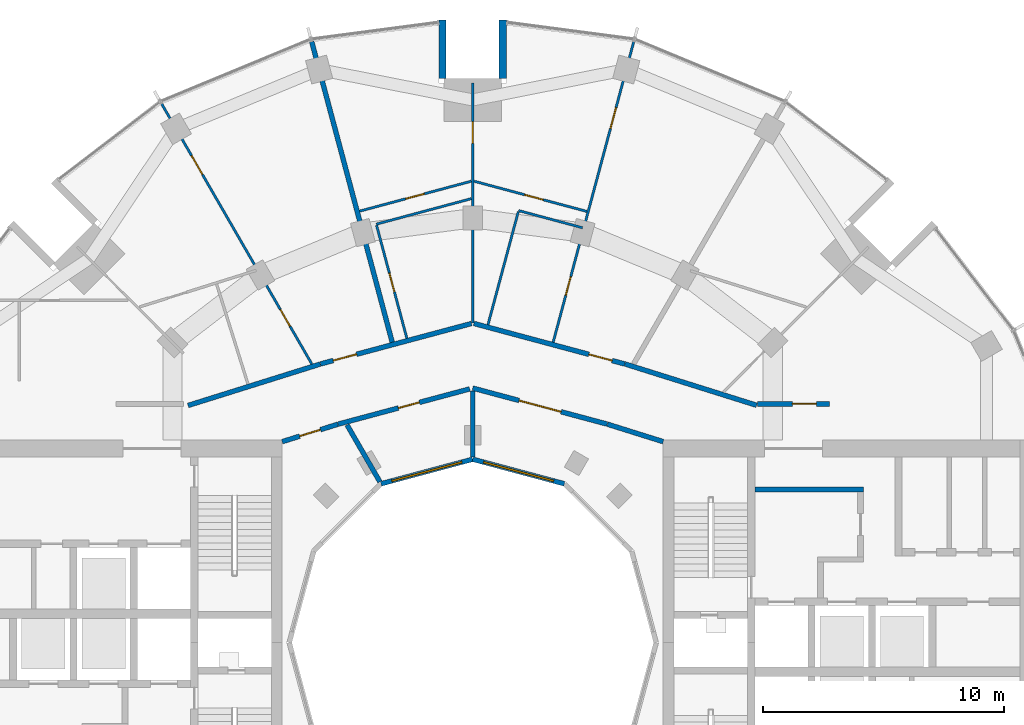
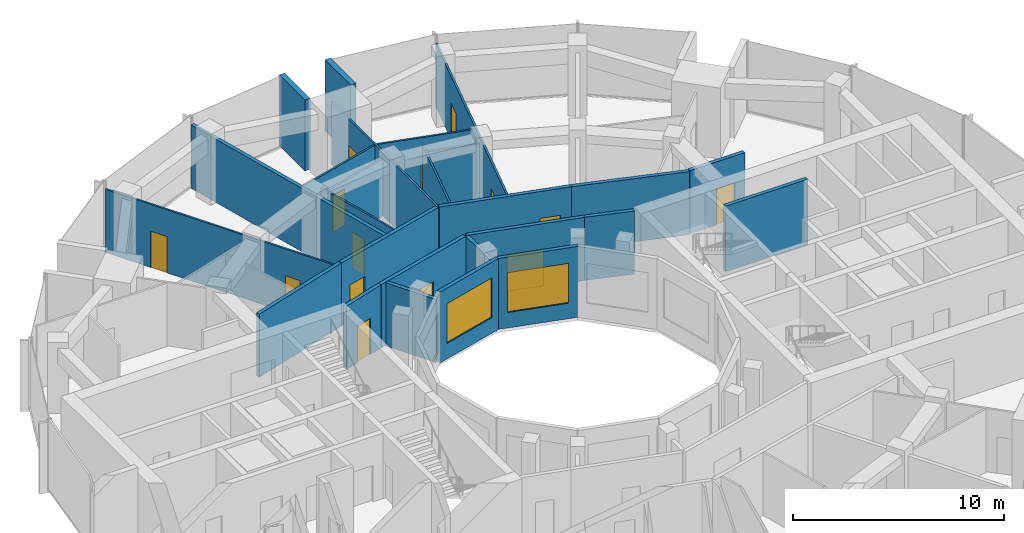
# One storey, part 12 of 15: 26 walls, 14 doors, 2 windows, 16 openings.
"""IFC4 building model written with IfcOpenShell, lengths in metres."""

from ifc_helpers import new_model, si_unit, direction, frame, frame_2d, origin, place, context, subcontext, project, spatial, rectangle, extrude, material, layer, layer_set, type_object, element, fill, save


model = new_model("IFC4")

# Units and contexts
model_context = context("Model", 3, precision=1e-05, world=origin(), true_north=direction((0.0, 1.0)))
body_context = subcontext(model_context, "Body", "Model", "MODEL_VIEW")
ifc_project = project(units=[si_unit("LENGTHUNIT", "METRE"), si_unit("AREAUNIT", "SQUARE_METRE"), si_unit("VOLUMEUNIT", "CUBIC_METRE"), si_unit("PLANEANGLEUNIT", "RADIAN"), si_unit("MASSUNIT", "GRAM", prefix="KILO")], contexts=[model_context])

# Site, building, storey
site_placement = place(None, origin())
site = spatial("IfcSite", under=ifc_project, at=site_placement, CompositionType="ELEMENT")
building_placement = place(site_placement, origin())
building = spatial("IfcBuilding", under=site, at=building_placement, Name="Torre Brocal", CompositionType="ELEMENT")
storey_placement = place(building_placement, frame((0.0, 0.0, 198.699951171875)))
storey = spatial("IfcBuildingStorey", under=building, at=storey_placement, Name="L46", CompositionType="ELEMENT", Elevation=198.699951171875)

# Walls
ifc_material_1 = material(Name="Concrete C70", Category="concrete")
ifc_layer_1 = layer(ifc_material_1, 0.199951171875)
ifc_layer_set_1 = layer_set([ifc_layer_1], Name="Concrete C70")
wall_type_1 = type_object("IfcWallType", Name="CORE WALL 200 C70", PredefinedType="SHEAR", material=ifc_layer_set_1)
wall_1_placement = place(storey_placement, frame((91.699951171875, 81.35009765625, 0.0), z_axis=(0.0, 0.0, 1.0), x_axis=(1.0, 0.0, 0.0)))
element("IfcWall", 1, at=wall_1_placement, inside=storey, type_object=wall_type_1, Name="Wall CW200-70", PredefinedType="SHEAR", context=body_context, shape_type="SweptSolid", body=[
    extrude(rectangle(XDim=4.5, YDim=0.199951171875, at=frame_2d((2.25, 0.0))), origin(), (0.0, 0.0, 1.0), 3.780029296875),
])
ifc_material_2 = material(Name="Concrete C70", Category="concrete")
ifc_layer_2 = layer(ifc_material_2, 0.300048828125)
ifc_layer_set_2 = layer_set([ifc_layer_2], Name="Concrete C70")
wall_type_2 = type_object("IfcWallType", Name="NOTCH RETURN WALL 300 C70", PredefinedType="NOTDEFINED", material=ifc_layer_set_2)
for number, where, z_axis, x_axis, name in (
    (2, (81.25, 98.39990234375, 0.0), (0.0, 0.0, 1.0), (0.0, 1.0, 0.0), "NOTCH RETURN WALL"),
    (3, (78.75, 98.39990234375, 0.0), (0.0, 0.0, 1.0), (0.0, 1.0, 0.0), "NOTCH RETURN WALL"),
):
    element("IfcWall", number, at=place(storey_placement, frame(where, z_axis=z_axis, x_axis=x_axis)), inside=storey, type_object=wall_type_2, Name=name, PredefinedType="NOTDEFINED", context=body_context, shape_type="SweptSolid", body=[
        extrude(rectangle(XDim=2.415771484375, YDim=0.300048828125, at=frame_2d((1.2080078125, 0.0))), origin(), (0.0, 0.0, 1.0), 4.10009765625),
    ])

# Wall, openings, doors
ifc_material_3 = material(Name="Gypsum board", Category="Gypsum")
ifc_layer_3 = layer(ifc_material_3, 0.10009765625)
ifc_layer_set_3 = layer_set([ifc_layer_3], Name="Gypsum board")
wall_type_3 = type_object("IfcWallType", Name="PARTITION 100", PredefinedType="PARTITIONING", material=ifc_layer_set_3)
wall_2_placement = place(storey_placement, frame((67.101318359375, 97.341552734375, 0.0), z_axis=(0.0, 0.0, 1.0), x_axis=(0.499944152966, -0.866057644684, 0.0)))
wall_2 = element("IfcWall", 4, at=wall_2_placement, inside=storey, type_object=wall_type_3, Name="BATHROOM WALL", PredefinedType="PARTITIONING", context=body_context, shape_type="SweptSolid", body=[
    extrude(rectangle(XDim=12.4560546875, YDim=0.10009765625, at=frame_2d((6.22802734375, 0.0))), origin(), (0.0, 0.0, 1.0), 3.650146484375),
])
opening_1_placement = place(wall_2_placement, frame((2.486083984375, 0.0, 0.0)))
opening_1 = element("IfcOpeningElement", 5, at=opening_1_placement, cuts=wall_2, Name="Opening R04-D12", PredefinedType="OPENING", context=body_context, shape_type="SweptSolid", body=[
    extrude(rectangle(XDim=0.89990234375, YDim=2.10009765625, at=frame_2d((0.449951171875, 1.050048828125))), frame((0.0, 0.06005859375, 0.0), z_axis=(0.0, -1.0, 0.0), x_axis=(1.0, 0.0, 0.0)), (0.0, 0.0, 1.0), 0.1201171875),
])
opening_2_placement = place(wall_2_placement, frame((9.85009765625, 0.0, 0.0)))
opening_2 = element("IfcOpeningElement", 6, at=opening_2_placement, cuts=wall_2, Name="Opening R04-D14", PredefinedType="OPENING", context=body_context, shape_type="SweptSolid", body=[
    extrude(rectangle(XDim=0.800048828125, YDim=2.10009765625, at=frame_2d((0.39990234375, 1.050048828125))), frame((0.0, 0.06005859375, 0.0), z_axis=(0.0, -1.0, 0.0), x_axis=(1.0, 0.0, 0.0)), (0.0, 0.0, 1.0), 0.1201171875),
])
ifc_material_4 = material(Name="Timber", Category="wood")
door_type_1 = type_object("IfcDoorType", Name="BATHROOM DOOR 800X2100", OperationType="SINGLE_SWING_LEFT", PredefinedType="DOOR", material=ifc_material_4)
door_1_placement = place(opening_2_placement, frame((0.800048828125, 0.0, 0.0), z_axis=(0.0, 0.0, 1.0), x_axis=(-1.0, 0.0, 0.0)))
door_1 = element("IfcDoor", 7, at=door_1_placement, inside=storey, type_object=door_type_1, Name="R04-D14", OperationType="SINGLE_SWING_LEFT", OverallHeight=2.10009765625, OverallWidth=0.800048828125, PredefinedType="DOOR", context=body_context, shape_type="SweptSolid", body=[
    extrude(rectangle(XDim=0.800048828125, YDim=2.10009765625, at=frame_2d((0.39990234375, 1.050048828125))), frame((0.0, 0.02490234375, 0.0), z_axis=(0.0, -1.0, 0.0), x_axis=(1.0, 0.0, 0.0)), (0.0, 0.0, 1.0), 0.050048828125),
])
fill(opening_2, door_1)
ifc_material_5 = material(Name="Timber", Category="wood")
door_type_2 = type_object("IfcDoorType", Name="ROOM DOOR 900X2100", OperationType="SINGLE_SWING_LEFT", PredefinedType="DOOR", material=ifc_material_5)
door_2_placement = place(opening_1_placement, origin())
door_2 = element("IfcDoor", 8, at=door_2_placement, inside=storey, type_object=door_type_2, Name="R04-D12", OperationType="SINGLE_SWING_LEFT", OverallHeight=2.10009765625, OverallWidth=0.89990234375, PredefinedType="DOOR", context=body_context, shape_type="SweptSolid", body=[
    extrude(rectangle(XDim=0.89990234375, YDim=2.10009765625, at=frame_2d((0.449951171875, 1.050048828125))), frame((0.0, 0.02490234375, 0.0), z_axis=(0.0, -1.0, 0.0), x_axis=(1.0, 0.0, 0.0)), (0.0, 0.0, 1.0), 0.050048828125),
])
fill(opening_1, door_2)

# Wall, opening, door
wall_3_placement = place(storey_placement, frame((75.310546875, 92.889892578125, 0.0), z_axis=(0.0, 0.0, 1.0), x_axis=(0.965887579691, 0.258961741187, 0.0)))
wall_3 = element("IfcWall", 9, at=wall_3_placement, inside=storey, type_object=wall_type_3, Name="BATHROOM WALL", PredefinedType="PARTITIONING", context=body_context, shape_type="SweptSolid", body=[
    extrude(rectangle(XDim=4.794921875, YDim=0.10009765625, at=frame_2d((2.3974609375, 0.0))), origin(), (0.0, 0.0, 1.0), 3.650146484375),
])
opening_3_placement = place(wall_3_placement, frame((1.9775390625, 0.0, 0.0)))
opening_3 = element("IfcOpeningElement", 10, at=opening_3_placement, cuts=wall_3, Name="Opening R04-D10", PredefinedType="OPENING", context=body_context, shape_type="SweptSolid", body=[
    extrude(rectangle(XDim=0.800048828125, YDim=2.10009765625, at=frame_2d((0.39990234375, 1.050048828125))), frame((0.0, 0.06005859375, 0.0), z_axis=(0.0, -1.0, 0.0), x_axis=(1.0, 0.0, 0.0)), (0.0, 0.0, 1.0), 0.1201171875),
])
door_3_placement = place(opening_3_placement, origin())
door_3 = element("IfcDoor", 11, at=door_3_placement, inside=storey, type_object=door_type_1, Name="R04-D10", OperationType="SINGLE_SWING_LEFT", OverallHeight=2.10009765625, OverallWidth=0.800048828125, PredefinedType="DOOR", context=body_context, shape_type="SweptSolid", body=[
    extrude(rectangle(XDim=0.800048828125, YDim=2.10009765625, at=frame_2d((0.39990234375, 1.050048828125))), frame((0.0, 0.02490234375, 0.0), z_axis=(0.0, -1.0, 0.0), x_axis=(1.0, 0.0, 0.0)), (0.0, 0.0, 1.0), 0.050048828125),
])
fill(opening_3, door_3)

wall_4_placement = place(storey_placement, frame((76.012939453125, 92.3017578125, 0.0), z_axis=(0.0, 0.0, 1.0), x_axis=(0.259213325924, -0.965820092804, 0.0)))
wall_4 = element("IfcWall", 12, at=wall_4_placement, inside=storey, type_object=wall_type_3, Name="BATHROOM WALL", PredefinedType="PARTITIONING", context=body_context, shape_type="SweptSolid", body=[
    extrude(rectangle(XDim=4.849609375, YDim=0.10009765625, at=frame_2d((2.4248046875, 0.0))), origin(), (0.0, 0.0, 1.0), 3.650146484375),
])
opening_4_placement = place(wall_4_placement, frame((2.0498046875, 0.0, 0.0)))
opening_4 = element("IfcOpeningElement", 13, at=opening_4_placement, cuts=wall_4, Name="Opening R04-D09", PredefinedType="OPENING", context=body_context, shape_type="SweptSolid", body=[
    extrude(rectangle(XDim=0.800048828125, YDim=2.10009765625, at=frame_2d((0.39990234375, 1.050048828125))), frame((0.0, 0.06005859375, 0.0), z_axis=(0.0, -1.0, 0.0), x_axis=(1.0, 0.0, 0.0)), (0.0, 0.0, 1.0), 0.1201171875),
])
door_4_placement = place(opening_4_placement, origin())
door_4 = element("IfcDoor", 14, at=door_4_placement, inside=storey, type_object=door_type_1, Name="R04-D09", OperationType="SINGLE_SWING_LEFT", OverallHeight=2.10009765625, OverallWidth=0.800048828125, PredefinedType="DOOR", context=body_context, shape_type="SweptSolid", body=[
    extrude(rectangle(XDim=0.800048828125, YDim=2.10009765625, at=frame_2d((0.39990234375, 1.050048828125))), frame((0.0, 0.02490234375, 0.0), z_axis=(0.0, -1.0, 0.0), x_axis=(1.0, 0.0, 0.0)), (0.0, 0.0, 1.0), 0.050048828125),
])
fill(opening_4, door_4)

wall_5_placement = place(storey_placement, frame((80.0, 88.24609375, 0.0), z_axis=(0.0, 0.0, 1.0), x_axis=(0.0, 1.0, 0.0)))
wall_5 = element("IfcWall", 15, at=wall_5_placement, inside=storey, type_object=wall_type_3, Name="BATHROOM WALL", PredefinedType="PARTITIONING", context=body_context, shape_type="SweptSolid", body=[
    extrude(rectangle(XDim=9.953857421875, YDim=0.10009765625, at=frame_2d((4.97705078125, 0.0))), origin(), (0.0, 0.0, 1.0), 3.650146484375),
])
opening_5_placement = place(wall_5_placement, frame((7.452392578125, 0.0, 0.0)))
opening_5 = element("IfcOpeningElement", 16, at=opening_5_placement, cuts=wall_5, Name="Opening R04-D08", PredefinedType="OPENING", context=body_context, shape_type="SweptSolid", body=[
    extrude(rectangle(XDim=0.89990234375, YDim=2.10009765625, at=frame_2d((0.449951171875, 1.050048828125))), frame((0.0, 0.06005859375, 0.0), z_axis=(0.0, -1.0, 0.0), x_axis=(1.0, 0.0, 0.0)), (0.0, 0.0, 1.0), 0.1201171875),
])
door_5_placement = place(opening_5_placement, origin())
door_5 = element("IfcDoor", 17, at=door_5_placement, inside=storey, type_object=door_type_2, Name="R04-D08", OperationType="SINGLE_SWING_RIGHT", OverallHeight=2.10009765625, OverallWidth=0.89990234375, PredefinedType="DOOR", context=body_context, shape_type="SweptSolid", body=[
    extrude(rectangle(XDim=0.89990234375, YDim=2.10009765625, at=frame_2d((0.449951171875, 1.050048828125))), frame((0.0, 0.02490234375, 0.0), z_axis=(0.0, -1.0, 0.0), x_axis=(1.0, 0.0, 0.0)), (0.0, 0.0, 1.0), 0.050048828125),
])
fill(opening_5, door_5)

wall_6_placement = place(storey_placement, frame((80.05810546875, 94.131591796875, 0.0), z_axis=(0.0, 0.0, 1.0), x_axis=(0.96588865472, -0.258957731459, 0.0)))
wall_6 = element("IfcWall", 18, at=wall_6_placement, inside=storey, type_object=wall_type_3, Name="BATHROOM WALL", PredefinedType="PARTITIONING", context=body_context, shape_type="SweptSolid", body=[
    extrude(rectangle(XDim=4.844970703125, YDim=0.10009765625, at=frame_2d((2.42236328125, 0.0))), origin(), (0.0, 0.0, 1.0), 3.650146484375),
])
opening_6_placement = place(wall_6_placement, frame((2.16748046875, 0.0, 0.0)))
opening_6 = element("IfcOpeningElement", 19, at=opening_6_placement, cuts=wall_6, Name="Opening R04-D06", PredefinedType="OPENING", context=body_context, shape_type="SweptSolid", body=[
    extrude(rectangle(XDim=0.800048828125, YDim=2.10009765625, at=frame_2d((0.39990234375, 1.050048828125))), frame((0.0, 0.06005859375, 0.0), z_axis=(0.0, -1.0, 0.0), x_axis=(1.0, 0.0, 0.0)), (0.0, 0.0, 1.0), 0.1201171875),
])
door_6_placement = place(opening_6_placement, frame((0.800048828125, 0.0, 0.0), z_axis=(0.0, 0.0, 1.0), x_axis=(-1.0, 0.0, 0.0)))
door_6 = element("IfcDoor", 20, at=door_6_placement, inside=storey, type_object=door_type_1, Name="R04-D06", OperationType="SINGLE_SWING_LEFT", OverallHeight=2.10009765625, OverallWidth=0.800048828125, PredefinedType="DOOR", context=body_context, shape_type="SweptSolid", body=[
    extrude(rectangle(XDim=0.800048828125, YDim=2.10009765625, at=frame_2d((0.39990234375, 1.050048828125))), frame((0.0, 0.02490234375, 0.0), z_axis=(0.0, -1.0, 0.0), x_axis=(1.0, 0.0, 0.0)), (0.0, 0.0, 1.0), 0.050048828125),
])
fill(opening_6, door_6)

# Wall
wall_7_placement = place(storey_placement, frame((80.633056640625, 88.179931640625, 0.0), z_axis=(0.0, 0.0, 1.0), x_axis=(0.258975098822, 0.965883998309, 0.0)))
element("IfcWall", 21, at=wall_7_placement, inside=storey, type_object=wall_type_3, Name="BATHROOM WALL", PredefinedType="PARTITIONING", context=body_context, shape_type="SweptSolid", body=[
    extrude(rectangle(XDim=4.850341796875, YDim=0.10009765625, at=frame_2d((2.42529296875, 0.0))), origin(), (0.0, 0.0, 1.0), 3.650146484375),
])

# Wall, openings, doors
wall_8_placement = place(storey_placement, frame((83.336669921875, 87.455078125, 0.0), z_axis=(0.0, 0.0, 1.0), x_axis=(0.258878883978, 0.965909790524, 0.0)))
wall_8 = element("IfcWall", 22, at=wall_8_placement, inside=storey, type_object=wall_type_3, Name="BATHROOM WALL", PredefinedType="PARTITIONING", context=body_context, shape_type="SweptSolid", body=[
    extrude(rectangle(XDim=12.904052734375, YDim=0.10009765625, at=frame_2d((6.4521484375, 0.0))), origin(), (0.0, 0.0, 1.0), 3.650146484375),
])
opening_7_placement = place(wall_8_placement, frame((9.176513671875, 0.0, 0.0)))
opening_7 = element("IfcOpeningElement", 23, at=opening_7_placement, cuts=wall_8, Name="Opening R04-D05", PredefinedType="OPENING", context=body_context, shape_type="SweptSolid", body=[
    extrude(rectangle(XDim=0.89990234375, YDim=2.10009765625, at=frame_2d((0.449951171875, 1.050048828125))), frame((0.0, 0.06005859375, 0.0), z_axis=(0.0, -1.0, 0.0), x_axis=(1.0, 0.0, 0.0)), (0.0, 0.0, 1.0), 0.1201171875),
])
opening_8_placement = place(wall_8_placement, frame((2.009521484375, 0.0, 0.0)))
opening_8 = element("IfcOpeningElement", 24, at=opening_8_placement, cuts=wall_8, Name="Opening R04-D07", PredefinedType="OPENING", context=body_context, shape_type="SweptSolid", body=[
    extrude(rectangle(XDim=0.800048828125, YDim=2.10009765625, at=frame_2d((0.39990234375, 1.050048828125))), frame((0.0, 0.06005859375, 0.0), z_axis=(0.0, -1.0, 0.0), x_axis=(1.0, 0.0, 0.0)), (0.0, 0.0, 1.0), 0.1201171875),
])
door_7_placement = place(opening_8_placement, origin())
door_7 = element("IfcDoor", 25, at=door_7_placement, inside=storey, type_object=door_type_1, Name="R04-D07", OperationType="SINGLE_SWING_RIGHT", OverallHeight=2.10009765625, OverallWidth=0.800048828125, PredefinedType="DOOR", context=body_context, shape_type="SweptSolid", body=[
    extrude(rectangle(XDim=0.800048828125, YDim=2.10009765625, at=frame_2d((0.39990234375, 1.050048828125))), frame((0.0, 0.02490234375, 0.0), z_axis=(0.0, -1.0, 0.0), x_axis=(1.0, 0.0, 0.0)), (0.0, 0.0, 1.0), 0.050048828125),
])
fill(opening_8, door_7)
door_8_placement = place(opening_7_placement, frame((0.89990234375, 0.0, 0.0), z_axis=(0.0, 0.0, 1.0), x_axis=(-1.0, 0.0, 0.0)))
door_8 = element("IfcDoor", 26, at=door_8_placement, inside=storey, type_object=door_type_2, Name="R04-D05", OperationType="SINGLE_SWING_LEFT", OverallHeight=2.10009765625, OverallWidth=0.89990234375, PredefinedType="DOOR", context=body_context, shape_type="SweptSolid", body=[
    extrude(rectangle(XDim=0.89990234375, YDim=2.10009765625, at=frame_2d((0.449951171875, 1.050048828125))), frame((0.0, 0.02490234375, 0.0), z_axis=(0.0, -1.0, 0.0), x_axis=(1.0, 0.0, 0.0)), (0.0, 0.0, 1.0), 0.050048828125),
])
fill(opening_7, door_8)

# Walls
ifc_material_6 = material(Name="Gypsum board", Category="Gypsum")
ifc_layer_4 = layer(ifc_material_6, 0.10009765625)
ifc_layer_set_4 = layer_set([ifc_layer_4], Name="Gypsum board")
wall_type_4 = type_object("IfcWallType", Name="PARTITION 100 UNDER BEAM 820", PredefinedType="PARTITIONING", material=ifc_layer_set_4)
wall_9_placement = place(storey_placement, frame((76.0, 92.35009765625, 0.0), z_axis=(0.0, 0.0, 1.0), x_axis=(0.965855616718, 0.259080928775, 0.0)))
element("IfcWall", 27, at=wall_9_placement, inside=storey, type_object=wall_type_4, Name="BATHROOM WALL", PredefinedType="PARTITIONING", context=body_context, shape_type="SweptSolid", body=[
    extrude(rectangle(XDim=4.081298828125, YDim=0.10009765625, at=frame_2d((2.04052734375, 0.0))), origin(), (0.0, 0.0, 1.0), 3.280029296875),
])
wall_10_placement = place(storey_placement, frame((81.902099609375, 92.9130859375, 0.0), z_axis=(0.0, 0.0, 1.0), x_axis=(0.965846090635, -0.259116439472, 0.0)))
element("IfcWall", 28, at=wall_10_placement, inside=storey, type_object=wall_type_4, Name="BATHROOM WALL", PredefinedType="PARTITIONING", context=body_context, shape_type="SweptSolid", body=[
    extrude(rectangle(XDim=2.748291015625, YDim=0.10009765625, at=frame_2d((1.3740234375, 0.0))), origin(), (0.0, 0.0, 1.0), 3.280029296875),
])
ifc_material_7 = material(Name="Gypsum board", Category="Gypsum")
ifc_layer_5 = layer(ifc_material_7, 0.199951171875)
ifc_layer_set_5 = layer_set([ifc_layer_5], Name="Gypsum board")
wall_type_5 = type_object("IfcWallType", Name="PARTITION 200 EI60", PredefinedType="PARTITIONING", material=ifc_layer_set_5)
wall_11_placement = place(storey_placement, frame((68.19970703125, 84.833984375, 0.0), z_axis=(0.0, 0.0, 1.0), x_axis=(0.954272398161, 0.298938438661, 0.0)))
element("IfcWall", 29, at=wall_11_placement, inside=storey, type_object=wall_type_5, Name="FLAT ENTRANCE WALL", PredefinedType="PARTITIONING", context=body_context, shape_type="SweptSolid", body=[
    extrude(rectangle(XDim=5.740478515625, YDim=0.199951171875, at=frame_2d((2.8701171875, 0.0))), origin(), (0.0, 0.0, 1.0), 3.650146484375),
])

# Wall, opening, door
wall_12_placement = place(storey_placement, frame((72.10009765625, 83.33203125, 0.0), z_axis=(0.0, 0.0, 1.0), x_axis=(0.954233106619, 0.299063836383, 0.0)))
wall_12 = element("IfcWall", 30, at=wall_12_placement, inside=storey, type_object=wall_type_5, Name="CORRIDOR WALL", PredefinedType="PARTITIONING", context=body_context, shape_type="SweptSolid", body=[
    extrude(rectangle(XDim=2.4140625, YDim=0.199951171875, at=frame_2d((1.20703125, 0.0))), origin(), (0.0, 0.0, 1.0), 3.650146484375),
])
opening_9_placement = place(wall_12_placement, frame((0.761962890625, 0.0, 0.0)))
opening_9 = element("IfcOpeningElement", 31, at=opening_9_placement, cuts=wall_12, Name="Opening R04-D20", PredefinedType="OPENING", context=body_context, shape_type="SweptSolid", body=[
    extrude(rectangle(XDim=0.89990234375, YDim=2.10009765625, at=frame_2d((0.449951171875, 1.050048828125))), frame((0.0, 0.10986328125, 0.0), z_axis=(0.0, -1.0, 0.0), x_axis=(1.0, 0.0, 0.0)), (0.0, 0.0, 1.0), 0.219970703125),
])
door_9_placement = place(opening_9_placement, frame((0.89990234375, 0.0, 0.0), z_axis=(0.0, 0.0, 1.0), x_axis=(-1.0, 0.0, 0.0)))
door_9 = element("IfcDoor", 32, at=door_9_placement, inside=storey, type_object=door_type_2, Name="R04-D20", OperationType="SINGLE_SWING_RIGHT", OverallHeight=2.10009765625, OverallWidth=0.89990234375, PredefinedType="DOOR", context=body_context, shape_type="SweptSolid", body=[
    extrude(rectangle(XDim=0.89990234375, YDim=2.10009765625, at=frame_2d((0.449951171875, 1.050048828125))), frame((0.0, 0.02490234375, 0.0), z_axis=(0.0, -1.0, 0.0), x_axis=(1.0, 0.0, 0.0)), (0.0, 0.0, 1.0), 0.050048828125),
])
fill(opening_9, door_9)

# Wall
wall_13_placement = place(storey_placement, frame((73.323486328125, 99.91943359375, 0.0), z_axis=(0.0, 0.0, 1.0), x_axis=(0.258768239436, -0.965939438194, 0.0)))
element("IfcWall", 33, at=wall_13_placement, inside=storey, type_object=wall_type_5, Name="BATHROOM WALL", PredefinedType="PARTITIONING", context=body_context, shape_type="SweptSolid", body=[
    extrude(rectangle(XDim=12.90380859375, YDim=0.199951171875, at=frame_2d((6.451904296875, 0.0))), origin(), (0.0, 0.0, 1.0), 3.650146484375),
])

# Wall, opening, door
wall_14_placement = place(storey_placement, frame((73.68701171875, 86.55419921875, 0.0), z_axis=(0.0, 0.0, 1.0), x_axis=(0.96595258731, 0.258719150952, 0.0)))
wall_14 = element("IfcWall", 34, at=wall_14_placement, inside=storey, type_object=wall_type_5, Name="FLAT ENTRANCE WALL", PredefinedType="PARTITIONING", context=body_context, shape_type="SweptSolid", body=[
    extrude(rectangle(XDim=6.485595703125, YDim=0.199951171875, at=frame_2d((3.24267578125, 0.0))), origin(), (0.0, 0.0, 1.0), 3.650146484375),
])
opening_10_placement = place(wall_14_placement, frame((0.550048828125, 0.0, 0.0)))
opening_10 = element("IfcOpeningElement", 35, at=opening_10_placement, cuts=wall_14, Name="Opening R04-D11", PredefinedType="OPENING", context=body_context, shape_type="SweptSolid", body=[
    extrude(rectangle(XDim=1.0, YDim=2.10009765625, at=frame_2d((0.5, 1.050048828125))), frame((0.0, 0.10986328125, 0.0), z_axis=(0.0, -1.0, 0.0), x_axis=(1.0, 0.0, 0.0)), (0.0, 0.0, 1.0), 0.219970703125),
])
ifc_material_8 = material(Name="Timber", Category="wood")
door_type_3 = type_object("IfcDoorType", Name="FLAT ENTRY DOOR FD30S 1000X2100", OperationType="SINGLE_SWING_RIGHT", PredefinedType="DOOR", material=ifc_material_8)
door_10_placement = place(opening_10_placement, origin())
door_10 = element("IfcDoor", 36, at=door_10_placement, inside=storey, type_object=door_type_3, Name="R04-D11", OperationType="SINGLE_SWING_LEFT", OverallHeight=2.10009765625, OverallWidth=1.0, PredefinedType="DOOR", context=body_context, shape_type="SweptSolid", body=[
    extrude(rectangle(XDim=1.0, YDim=2.10009765625, at=frame_2d((0.5, 1.050048828125))), frame((0.0, 0.02490234375, 0.0), z_axis=(0.0, -1.0, 0.0), x_axis=(1.0, 0.0, 0.0)), (0.0, 0.0, 1.0), 0.050048828125),
])
fill(opening_10, door_10)

wall_15_placement = place(storey_placement, frame((74.4130859375, 84.056884765625, 0.0), z_axis=(0.0, 0.0, 1.0), x_axis=(0.965972135939, 0.258646153246, 0.0)))
wall_15 = element("IfcWall", 37, at=wall_15_placement, inside=storey, type_object=wall_type_5, Name="CORRIDOR WALL", PredefinedType="PARTITIONING", context=body_context, shape_type="SweptSolid", body=[
    extrude(rectangle(XDim=5.654052734375, YDim=0.199951171875, at=frame_2d((2.8271484375, 0.0))), origin(), (0.0, 0.0, 1.0), 3.650146484375),
])
opening_11_placement = place(wall_15_placement, frame((2.5927734375, 0.0, 0.0)))
opening_11 = element("IfcOpeningElement", 38, at=opening_11_placement, cuts=wall_15, Name="Opening R04-D19", PredefinedType="OPENING", context=body_context, shape_type="SweptSolid", body=[
    extrude(rectangle(XDim=0.89990234375, YDim=2.10009765625, at=frame_2d((0.449951171875, 1.050048828125))), frame((0.0, 0.10986328125, 0.0), z_axis=(0.0, -1.0, 0.0), x_axis=(1.0, 0.0, 0.0)), (0.0, 0.0, 1.0), 0.219970703125),
])
door_11_placement = place(opening_11_placement, frame((0.89990234375, 0.0, 0.0), z_axis=(0.0, 0.0, 1.0), x_axis=(-1.0, 0.0, 0.0)))
door_11 = element("IfcDoor", 39, at=door_11_placement, inside=storey, type_object=door_type_2, Name="R04-D19", OperationType="SINGLE_SWING_RIGHT", OverallHeight=2.10009765625, OverallWidth=0.89990234375, PredefinedType="DOOR", context=body_context, shape_type="SweptSolid", body=[
    extrude(rectangle(XDim=0.89990234375, YDim=2.10009765625, at=frame_2d((0.449951171875, 1.050048828125))), frame((0.0, 0.02490234375, 0.0), z_axis=(0.0, -1.0, 0.0), x_axis=(1.0, 0.0, 0.0)), (0.0, 0.0, 1.0), 0.050048828125),
])
fill(opening_11, door_11)

# Walls
wall_16_placement = place(storey_placement, frame((74.789306640625, 84.0283203125, 0.0), z_axis=(0.0, 0.0, 1.0), x_axis=(0.49993436518, -0.866063294749, 0.0)))
element("IfcWall", 40, at=wall_16_placement, inside=storey, type_object=wall_type_5, Name="PARTY PARTITION", PredefinedType="PARTITIONING", context=body_context, shape_type="SweptSolid", body=[
    extrude(rectangle(XDim=2.725830078125, YDim=0.199951171875, at=frame_2d((1.36279296875, 0.0))), origin(), (0.0, 0.0, 1.0), 3.650146484375),
])
wall_17_placement = place(storey_placement, frame((80.0, 82.699951171875, 0.0), z_axis=(0.0, 0.0, 1.0), x_axis=(0.0, 1.0, 0.0)))
element("IfcWall", 41, at=wall_17_placement, inside=storey, type_object=wall_type_5, Name="PARTY PARTITION", PredefinedType="PARTITIONING", context=body_context, shape_type="SweptSolid", body=[
    extrude(rectangle(XDim=2.72314453125, YDim=0.199951171875, at=frame_2d((1.361572265625, 0.0))), origin(), (0.0, 0.0, 1.0), 3.650146484375),
])

# Wall, opening, door
wall_18_placement = place(storey_placement, frame((80.04833984375, 88.2333984375, 0.0), z_axis=(0.0, 0.0, 1.0), x_axis=(0.965787353661, -0.259335280109, 0.0)))
wall_18 = element("IfcWall", 42, at=wall_18_placement, inside=storey, type_object=wall_type_5, Name="FLAT ENTRANCE WALL", PredefinedType="PARTITIONING", context=body_context, shape_type="SweptSolid", body=[
    extrude(rectangle(XDim=6.47607421875, YDim=0.199951171875, at=frame_2d((3.238037109375, 0.0))), origin(), (0.0, 0.0, 1.0), 3.650146484375),
])
opening_12_placement = place(wall_18_placement, frame((4.935791015625, 0.0, 0.0)))
opening_12 = element("IfcOpeningElement", 43, at=opening_12_placement, cuts=wall_18, Name="Opening R04-D04", PredefinedType="OPENING", context=body_context, shape_type="SweptSolid", body=[
    extrude(rectangle(XDim=1.0, YDim=2.10009765625, at=frame_2d((0.5, 1.050048828125))), frame((0.0, 0.10986328125, 0.0), z_axis=(0.0, -1.0, 0.0), x_axis=(1.0, 0.0, 0.0)), (0.0, 0.0, 1.0), 0.219970703125),
])
door_12_placement = place(opening_12_placement, origin())
door_12 = element("IfcDoor", 44, at=door_12_placement, inside=storey, type_object=door_type_3, Name="R04-D04", OperationType="SINGLE_SWING_RIGHT", OverallHeight=2.10009765625, OverallWidth=1.0, PredefinedType="DOOR", context=body_context, shape_type="SweptSolid", body=[
    extrude(rectangle(XDim=1.0, YDim=2.10009765625, at=frame_2d((0.5, 1.050048828125))), frame((0.0, 0.02490234375, 0.0), z_axis=(0.0, -1.0, 0.0), x_axis=(1.0, 0.0, 0.0)), (0.0, 0.0, 1.0), 0.050048828125),
])
fill(opening_12, door_12)

wall_19_placement = place(storey_placement, frame((80.0009765625, 85.553955078125, 0.0), z_axis=(0.0, 0.0, 1.0), x_axis=(0.965917658836, -0.258849524528, 0.0)))
wall_19 = element("IfcWall", 45, at=wall_19_placement, inside=storey, type_object=wall_type_5, Name="CORRIDOR WALL", PredefinedType="PARTITIONING", context=body_context, shape_type="SweptSolid", body=[
    extrude(rectangle(XDim=5.773193359375, YDim=0.199951171875, at=frame_2d((2.88671875, 0.0))), origin(), (0.0, 0.0, 1.0), 3.650146484375),
])
opening_13_placement = place(wall_19_placement, frame((1.9912109375, 0.0, 0.0)))
opening_13 = element("IfcOpeningElement", 46, at=opening_13_placement, cuts=wall_19, Name="Opening R04-D18", PredefinedType="OPENING", context=body_context, shape_type="SweptSolid", body=[
    extrude(rectangle(XDim=1.800048828125, YDim=2.10009765625, at=frame_2d((0.89990234375, 1.050048828125))), frame((0.0, 0.10986328125, 0.0), z_axis=(0.0, -1.0, 0.0), x_axis=(1.0, 0.0, 0.0)), (0.0, 0.0, 1.0), 0.219970703125),
])
ifc_material_9 = material(Name="Timber", Category="wood")
door_type_4 = type_object("IfcDoorType", Name="DOUBLE DOOR 1800X2100", OperationType="DOUBLE_DOOR_SINGLE_SWING", PredefinedType="DOOR", material=ifc_material_9)
door_13_placement = place(opening_13_placement, frame((1.800048828125, 0.0, 0.0), z_axis=(0.0, 0.0, 1.0), x_axis=(-1.0, 0.0, 0.0)))
door_13 = element("IfcDoor", 47, at=door_13_placement, inside=storey, type_object=door_type_4, Name="R04-D18", OperationType="DOUBLE_DOOR_SINGLE_SWING", OverallHeight=2.10009765625, OverallWidth=1.800048828125, PredefinedType="DOOR", context=body_context, shape_type="SweptSolid", body=[
    extrude(rectangle(XDim=1.800048828125, YDim=2.10009765625, at=frame_2d((0.89990234375, 1.050048828125))), frame((0.0, 0.02490234375, 0.0), z_axis=(0.0, -1.0, 0.0), x_axis=(1.0, 0.0, 0.0)), (0.0, 0.0, 1.0), 0.050048828125),
])
fill(opening_13, door_13)

# Walls
wall_20_placement = place(storey_placement, frame((85.5869140625, 84.056884765625, 0.0), z_axis=(0.0, 0.0, 1.0), x_axis=(0.954210767728, -0.299135104513, 0.0)))
element("IfcWall", 48, at=wall_20_placement, inside=storey, type_object=wall_type_5, Name="CORRIDOR WALL", PredefinedType="PARTITIONING", context=body_context, shape_type="SweptSolid", body=[
    extrude(rectangle(XDim=2.424072265625, YDim=0.199951171875, at=frame_2d((1.2119140625, 0.0))), origin(), (0.0, 0.0, 1.0), 3.650146484375),
])
wall_21_placement = place(storey_placement, frame((86.31298828125, 86.554443359375, 0.0), z_axis=(0.0, 0.0, 1.0), x_axis=(0.954081217458, -0.299548043717, 0.0)))
element("IfcWall", 49, at=wall_21_placement, inside=storey, type_object=wall_type_5, Name="FLAT ENTRANCE WALL", PredefinedType="PARTITIONING", context=body_context, shape_type="SweptSolid", body=[
    extrude(rectangle(XDim=5.720703125, YDim=0.199951171875, at=frame_2d((2.8603515625, 0.0))), origin(), (0.0, 0.0, 1.0), 3.650146484375),
])

# Wall, opening, door
wall_22_placement = place(storey_placement, frame((91.800048828125, 84.89990234375, 0.0), z_axis=(0.0, 0.0, 1.0), x_axis=(1.0, 0.0, 0.0)))
wall_22 = element("IfcWall", 50, at=wall_22_placement, inside=storey, type_object=wall_type_5, Name="FLAT ENTRANCE WALL", PredefinedType="PARTITIONING", context=body_context, shape_type="SweptSolid", body=[
    extrude(rectangle(XDim=3.0, YDim=0.199951171875, at=frame_2d((1.5, 0.0))), origin(), (0.0, 0.0, 1.0), 3.650146484375),
])
opening_14_placement = place(wall_22_placement, frame((1.449951171875, 0.0, 0.0)))
opening_14 = element("IfcOpeningElement", 51, at=opening_14_placement, cuts=wall_22, Name="Opening R04-D01", PredefinedType="OPENING", context=body_context, shape_type="SweptSolid", body=[
    extrude(rectangle(XDim=1.0, YDim=2.10009765625, at=frame_2d((0.5, 1.050048828125))), frame((0.0, 0.10986328125, 0.0), z_axis=(0.0, -1.0, 0.0), x_axis=(1.0, 0.0, 0.0)), (0.0, 0.0, 1.0), 0.219970703125),
])
door_14_placement = place(opening_14_placement, origin())
door_14 = element("IfcDoor", 52, at=door_14_placement, inside=storey, type_object=door_type_3, Name="R04-D01", OperationType="SINGLE_SWING_LEFT", OverallHeight=2.10009765625, OverallWidth=1.0, PredefinedType="DOOR", context=body_context, shape_type="SweptSolid", body=[
    extrude(rectangle(XDim=1.0, YDim=2.10009765625, at=frame_2d((0.5, 1.050048828125))), frame((0.0, 0.02490234375, 0.0), z_axis=(0.0, -1.0, 0.0), x_axis=(1.0, 0.0, 0.0)), (0.0, 0.0, 1.0), 0.050048828125),
])
fill(opening_14, door_14)

# Wall, opening, window
ifc_material_10 = material(Name="Concrete C40", Category="concrete")
ifc_layer_6 = layer(ifc_material_10, 0.199951171875)
ifc_layer_set_6 = layer_set([ifc_layer_6], Name="Concrete C40")
wall_type_6 = type_object("IfcWallType", Name="WELL FACADE WALL 200", PredefinedType="NOTDEFINED", material=ifc_layer_set_6)
wall_23_placement = place(storey_placement, frame((83.8017578125, 81.5849609375, 0.0), z_axis=(0.0, 0.0, 1.0), x_axis=(-0.965933654434, 0.258789828301, 0.0)))
wall_23 = element("IfcWall", 53, at=wall_23_placement, inside=storey, type_object=wall_type_6, Name="WELL FACADE WALL", PredefinedType="NOTDEFINED", context=body_context, shape_type="SweptSolid", body=[
    extrude(rectangle(XDim=3.935791015625, YDim=0.199951171875, at=frame_2d((1.9677734375, 0.0))), origin(), (0.0, 0.0, 1.0), 4.10009765625),
])
opening_15_placement = place(wall_23_placement, frame((0.468017578125, 0.0, 0.89990234375)))
opening_15 = element("IfcOpeningElement", 54, at=opening_15_placement, cuts=wall_23, Name="Opening W1", PredefinedType="OPENING", context=body_context, shape_type="SweptSolid", body=[
    extrude(rectangle(XDim=3.0, YDim=2.300048828125, at=frame_2d((1.5, 1.14990234375))), frame((0.0, 0.10986328125, 0.0), z_axis=(0.0, -1.0, 0.0), x_axis=(1.0, 0.0, 0.0)), (0.0, 0.0, 1.0), 0.219970703125),
])
ifc_material_11 = material(Name="Aluminium and glass", Category="aluminium")
window_type = type_object("IfcWindowType", Name="WELL WINDOW 3000X2300", PartitioningType="SINGLE_PANEL", PredefinedType="WINDOW", material=ifc_material_11)
window_1_placement = place(opening_15_placement, origin())
window_1 = element("IfcWindow", 55, at=window_1_placement, inside=storey, type_object=window_type, Name="WELL WINDOW 3000X2300", OverallHeight=2.300048828125, OverallWidth=3.0, PartitioningType="SINGLE_PANEL", PredefinedType="WINDOW", context=body_context, shape_type="SweptSolid", body=[
    extrude(rectangle(XDim=3.0, YDim=2.300048828125, at=frame_2d((1.5, 1.14990234375))), frame((0.0, 0.030029296875, 0.0), z_axis=(0.0, -1.0, 0.0), x_axis=(1.0, 0.0, 0.0)), (0.0, 0.0, 1.0), 0.06005859375),
])
fill(opening_15, window_1)

wall_24_placement = place(storey_placement, frame((80.0, 82.603515625, 0.0), z_axis=(0.0, 0.0, 1.0), x_axis=(-0.965933654434, -0.258789828301, 0.0)))
wall_24 = element("IfcWall", 56, at=wall_24_placement, inside=storey, type_object=wall_type_6, Name="WELL FACADE WALL", PredefinedType="NOTDEFINED", context=body_context, shape_type="SweptSolid", body=[
    extrude(rectangle(XDim=3.935791015625, YDim=0.199951171875, at=frame_2d((1.9677734375, 0.0))), origin(), (0.0, 0.0, 1.0), 4.10009765625),
])
opening_16_placement = place(wall_24_placement, frame((0.468017578125, 0.0, 0.89990234375)))
opening_16 = element("IfcOpeningElement", 57, at=opening_16_placement, cuts=wall_24, Name="Opening W1", PredefinedType="OPENING", context=body_context, shape_type="SweptSolid", body=[
    extrude(rectangle(XDim=3.0, YDim=2.300048828125, at=frame_2d((1.5, 1.14990234375))), frame((0.0, 0.10986328125, 0.0), z_axis=(0.0, -1.0, 0.0), x_axis=(1.0, 0.0, 0.0)), (0.0, 0.0, 1.0), 0.219970703125),
])
window_2_placement = place(opening_16_placement, origin())
window_2 = element("IfcWindow", 58, at=window_2_placement, inside=storey, type_object=window_type, Name="WELL WINDOW 3000X2300", OverallHeight=2.300048828125, OverallWidth=3.0, PartitioningType="SINGLE_PANEL", PredefinedType="WINDOW", context=body_context, shape_type="SweptSolid", body=[
    extrude(rectangle(XDim=3.0, YDim=2.300048828125, at=frame_2d((1.5, 1.14990234375))), frame((0.0, 0.030029296875, 0.0), z_axis=(0.0, -1.0, 0.0), x_axis=(1.0, 0.0, 0.0)), (0.0, 0.0, 1.0), 0.06005859375),
])
fill(opening_16, window_2)

save(model, "model.ifc")
